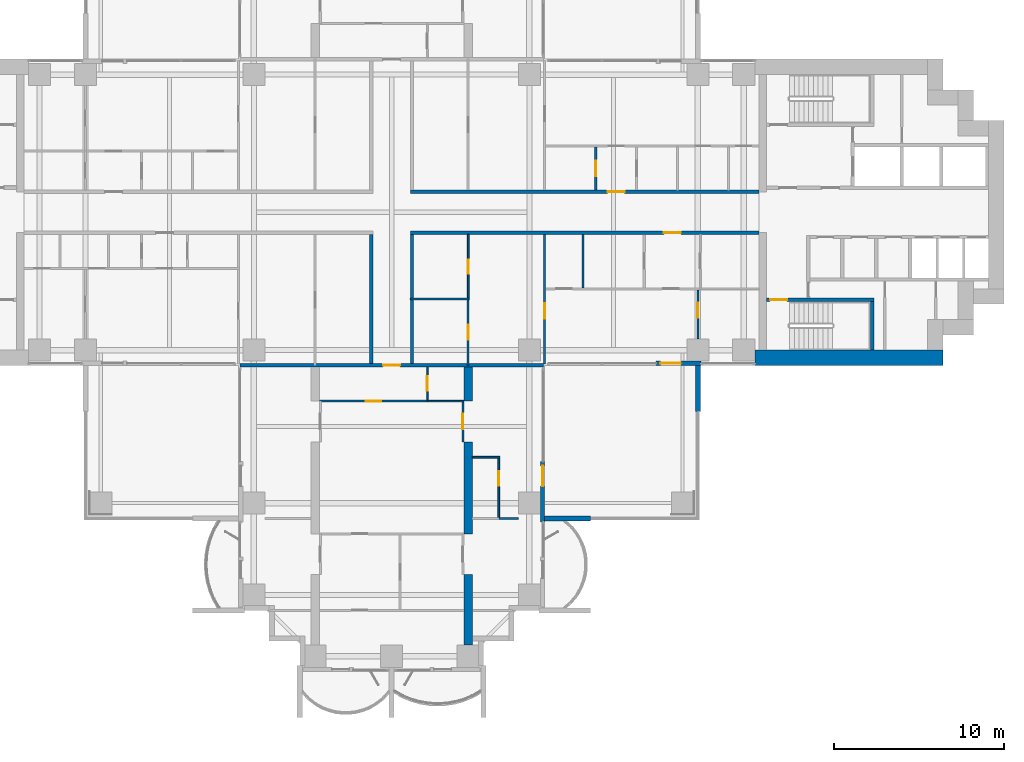
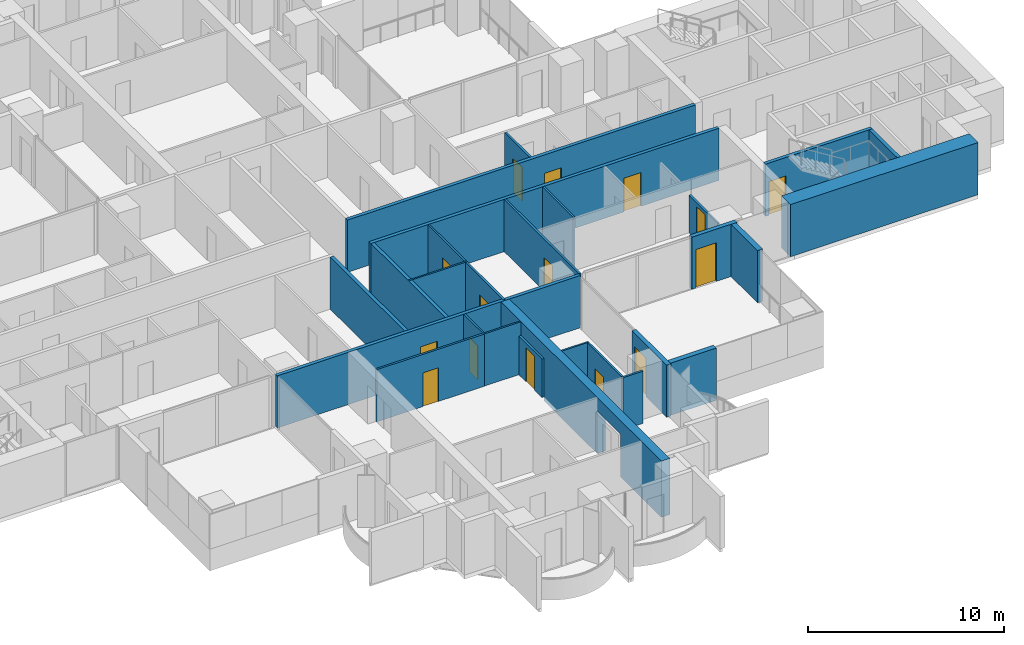
# One storey, part 12 of 20: 27 walls, 15 doors, 15 openings.
"""IFC4 building model written with IfcOpenShell, lengths in metres."""

from ifc_helpers import new_model, si_unit, direction, frame, frame_2d, origin, place, context, subcontext, project, spatial, polyline, rectangle, outline, extrude, material, layer, layer_set, material_profile, profile_set, type_object, element, fill, save


model = new_model("IFC4")

# Units and contexts
model_context = context("Model", 3, precision=1e-05, world=origin(), true_north=direction((0.0, 1.0)))
body_context = subcontext(model_context, "Body", "Model", "MODEL_VIEW")
ifc_project = project(units=[si_unit("LENGTHUNIT", "METRE"), si_unit("AREAUNIT", "SQUARE_METRE"), si_unit("VOLUMEUNIT", "CUBIC_METRE"), si_unit("PLANEANGLEUNIT", "RADIAN"), si_unit("MASSUNIT", "GRAM", prefix="KILO")], contexts=[model_context])

# Site, building, storey
site_placement = place(None, origin())
site = spatial("IfcSite", under=ifc_project, at=site_placement, CompositionType="ELEMENT")
building_placement = place(site_placement, origin())
building = spatial("IfcBuilding", under=site, at=building_placement, Name="Perihelion Cross Residences", CompositionType="ELEMENT")
storey_placement = place(building_placement, frame((0.0, 0.0, 82.0)))
storey = spatial("IfcBuildingStorey", under=building, at=storey_placement, Name="L18", CompositionType="ELEMENT", Elevation=82.0)

# Wall, opening, door
ifc_material_1 = material(Name="Plasterboard partition")
ifc_layer_1 = layer(ifc_material_1, 0.199951171875)
ifc_layer_set_1 = layer_set([ifc_layer_1], Name="Apartment separation wall 200")
wall_type_1 = type_object("IfcWallType", Name="Apartment separation wall 200", PredefinedType="PARTITIONING", material=ifc_layer_set_1)
wall_1_placement = place(storey_placement, frame((1.10009765625, 1.199951171875, 0.0), z_axis=(0.0, 0.0, 1.0), x_axis=(1.0, 0.0, 0.0)))
wall_1 = element("IfcWall", 1, at=wall_1_placement, inside=storey, type_object=wall_type_1, Name="Partition L18 W001", PredefinedType="PARTITIONING", context=body_context, shape_type="SweptSolid", body=[
    extrude(rectangle(XDim=20.5, YDim=0.199951171875, at=frame_2d((10.25, 0.0))), origin(), (0.0, 0.0, 1.0), 3.25),
])
opening_1_placement = place(wall_1_placement, frame((11.60009765625, 0.0, 0.0)))
opening_1 = element("IfcOpeningElement", 2, at=opening_1_placement, cuts=wall_1, Name="Opening L18.A45", PredefinedType="OPENING", context=body_context, shape_type="SweptSolid", body=[
    extrude(rectangle(XDim=1.0, YDim=2.10009765625, at=frame_2d((0.5, 1.050048828125))), frame((0.0, 0.10986328125, 0.0), z_axis=(0.0, -1.0, 0.0), x_axis=(1.0, 0.0, 0.0)), (0.0, 0.0, 1.0), 0.219970703125),
])
ifc_material_2 = material(Name="Timber door leaf", Category="wood")
door_type_1 = type_object("IfcDoorType", Name="Flat entrance door 1000 x 2100", OperationType="SINGLE_SWING_LEFT", PredefinedType="DOOR", material=ifc_material_2)
door_1_placement = place(opening_1_placement, origin())
door_1 = element("IfcDoor", 3, at=door_1_placement, inside=storey, type_object=door_type_1, Name="Door L18.A45", OperationType="SINGLE_SWING_LEFT", OverallHeight=2.10009765625, OverallWidth=1.0, PredefinedType="DOOR", context=body_context, shape_type="SweptSolid", body=[
    extrude(rectangle(XDim=1.0, YDim=2.10009765625, at=frame_2d((0.5, 1.050048828125))), frame((0.0, 0.02490234375, 0.0), z_axis=(0.0, -1.0, 0.0), x_axis=(1.0, 0.0, 0.0)), (0.0, 0.0, 1.0), 0.050048828125),
])
fill(opening_1, door_1)

wall_2_placement = place(storey_placement, frame((21.60009765625, -1.199951171875, 0.0), z_axis=(0.0, 0.0, 1.0), x_axis=(-1.0, 0.0, 0.0)))
wall_2 = element("IfcWall", 4, at=wall_2_placement, inside=storey, type_object=wall_type_1, Name="Partition L18 W003", PredefinedType="PARTITIONING", context=body_context, shape_type="SweptSolid", body=[
    extrude(rectangle(XDim=20.5, YDim=0.199951171875, at=frame_2d((10.25, 0.0))), origin(), (0.0, 0.0, 1.0), 3.25),
])
opening_2_placement = place(wall_2_placement, frame((4.60009765625, 0.0, 0.0)))
opening_2 = element("IfcOpeningElement", 5, at=opening_2_placement, cuts=wall_2, Name="Opening L18.A46", PredefinedType="OPENING", context=body_context, shape_type="SweptSolid", body=[
    extrude(rectangle(XDim=1.0, YDim=2.10009765625, at=frame_2d((0.5, 1.050048828125))), frame((0.0, 0.10986328125, 0.0), z_axis=(0.0, -1.0, 0.0), x_axis=(1.0, 0.0, 0.0)), (0.0, 0.0, 1.0), 0.219970703125),
])
door_2_placement = place(opening_2_placement, origin())
door_2 = element("IfcDoor", 6, at=door_2_placement, inside=storey, type_object=door_type_1, Name="Door L18.A46", OperationType="SINGLE_SWING_RIGHT", OverallHeight=2.10009765625, OverallWidth=1.0, PredefinedType="DOOR", context=body_context, shape_type="SweptSolid", body=[
    extrude(rectangle(XDim=1.0, YDim=2.10009765625, at=frame_2d((0.5, 1.050048828125))), frame((0.0, 0.02490234375, 0.0), z_axis=(0.0, -1.0, 0.0), x_axis=(1.0, 0.0, 0.0)), (0.0, 0.0, 1.0), 0.050048828125),
])
fill(opening_2, door_2)

# Walls
for number, where, z_axis, x_axis, name in (
    (7, (1.199951171875, -1.300048828125, 0.0), (0.0, 0.0, 1.0), (0.0, -1.0, 0.0), "Partition L18 W004"),
    (8, (-1.199951171875, -8.89990234375, 0.0), (0.0, 0.0, 1.0), (0.0, 1.0, 0.0), "Partition L18 W008"),
):
    element("IfcWall", number, at=place(storey_placement, frame(where, z_axis=z_axis, x_axis=x_axis)), inside=storey, type_object=wall_type_1, Name=name, PredefinedType="PARTITIONING", context=body_context, shape_type="SweptSolid", body=[
        extrude(rectangle(XDim=7.599853515625, YDim=0.199951171875, at=frame_2d((3.7998046875, 0.0))), origin(), (0.0, 0.0, 1.0), 3.25),
    ])

# Wall, opening, door
wall_3_placement = place(storey_placement, frame((8.919921875, -9.0, 0.0), z_axis=(0.0, 0.0, 1.0), x_axis=(-1.0, 0.0, 0.0)))
wall_3 = element("IfcWall", 9, at=wall_3_placement, inside=storey, type_object=wall_type_1, Name="Partition L18 W010", PredefinedType="PARTITIONING", context=body_context, shape_type="SweptSolid", body=[
    extrude(rectangle(XDim=17.83984375, YDim=0.199951171875, at=frame_2d((8.919921875, 0.0))), origin(), (0.0, 0.0, 1.0), 3.25),
])
opening_3_placement = place(wall_3_placement, frame((8.419921875, 0.0, 0.0)))
opening_3 = element("IfcOpeningElement", 10, at=opening_3_placement, cuts=wall_3, Name="Opening L18.A38", PredefinedType="OPENING", context=body_context, shape_type="SweptSolid", body=[
    extrude(rectangle(XDim=1.0, YDim=2.10009765625, at=frame_2d((0.5, 1.050048828125))), frame((0.0, 0.10986328125, 0.0), z_axis=(0.0, -1.0, 0.0), x_axis=(1.0, 0.0, 0.0)), (0.0, 0.0, 1.0), 0.219970703125),
])
door_3_placement = place(opening_3_placement, origin())
door_3 = element("IfcDoor", 11, at=door_3_placement, inside=storey, type_object=door_type_1, Name="Door L18.A38", OperationType="SINGLE_SWING_RIGHT", OverallHeight=2.10009765625, OverallWidth=1.0, PredefinedType="DOOR", context=body_context, shape_type="SweptSolid", body=[
    extrude(rectangle(XDim=1.0, YDim=2.10009765625, at=frame_2d((0.5, 1.050048828125))), frame((0.0, 0.02490234375, 0.0), z_axis=(0.0, -1.0, 0.0), x_axis=(1.0, 0.0, 0.0)), (0.0, 0.0, 1.0), 0.050048828125),
])
fill(opening_3, door_3)

ifc_material_3 = material(Name="Concrete C30/37, bronze-clad", Category="concrete")
ifc_layer_2 = layer(ifc_material_3, 0.25)
ifc_layer_set_2 = layer_set([ifc_layer_2], Name="Bronze-clad pier wall 250")
wall_type_2 = type_object("IfcWallType", Name="Bronze-clad pier wall 250", PredefinedType="SOLIDWALL", material=ifc_layer_set_2)
wall_4_placement = place(storey_placement, frame((8.875, -18.199951171875, 0.0), z_axis=(0.0, 0.0, 1.0), x_axis=(0.0, 1.0, 0.0)))
wall_4 = element("IfcWall", 12, at=wall_4_placement, inside=storey, type_object=wall_type_2, Name="Wall FW1 L18 south side east bay 2 pier", PredefinedType="SOLIDWALL", context=body_context, shape_type="SweptSolid", body=[
    extrude(rectangle(XDim=3.550048828125, YDim=0.25, at=frame_2d((1.77490234375, 0.0))), origin(), (0.0, 0.0, 1.0), 3.25),
])
opening_4_placement = place(wall_4_placement, frame((2.10009765625, 0.0, 0.0)))
opening_4 = element("IfcOpeningElement", 13, at=opening_4_placement, cuts=wall_4, Name="Opening L18.E15", PredefinedType="OPENING", context=body_context, shape_type="SweptSolid", body=[
    extrude(rectangle(XDim=1.199951171875, YDim=2.39990234375, at=frame_2d((0.60009765625, 1.199951171875))), frame((0.0, 0.135009765625, 0.0), z_axis=(0.0, -1.0, 0.0), x_axis=(1.0, 0.0, 0.0)), (0.0, 0.0, 1.0), 0.27001953125),
])
ifc_material_4 = material(Name="Bronze anodised aluminium, glazed", Category="aluminium")
door_type_2 = type_object("IfcDoorType", Name="Balcony door 1200 x 2400", OperationType="NOTDEFINED", PredefinedType="DOOR", material=ifc_material_4)
door_4_placement = place(opening_4_placement, origin())
door_4 = element("IfcDoor", 14, at=door_4_placement, inside=storey, type_object=door_type_2, Name="Door L18.E15 south side east bay 2", OperationType="SINGLE_SWING_RIGHT", OverallHeight=2.39990234375, OverallWidth=1.199951171875, PredefinedType="DOOR", context=body_context, shape_type="SweptSolid", body=[
    extrude(rectangle(XDim=1.199951171875, YDim=2.39990234375, at=frame_2d((0.60009765625, 1.199951171875))), frame((0.0, 0.02490234375, 0.0), z_axis=(0.0, -1.0, 0.0), x_axis=(1.0, 0.0, 0.0)), (0.0, 0.0, 1.0), 0.050048828125),
])
fill(opening_4, door_4)

wall_5_placement = place(storey_placement, frame((15.550048828125, -8.875, 0.0), z_axis=(0.0, 0.0, 1.0), x_axis=(1.0, 0.0, 0.0)))
wall_5 = element("IfcWall", 15, at=wall_5_placement, inside=storey, type_object=wall_type_2, Name="Wall FW1 L18 east side south bay 1 pier", PredefinedType="SOLIDWALL", context=body_context, shape_type="SweptSolid", body=[
    extrude(rectangle(XDim=2.64990234375, YDim=0.25, at=frame_2d((1.324951171875, 0.0))), origin(), (0.0, 0.0, 1.0), 3.25),
])
opening_5_placement = place(wall_5_placement, frame((0.25, 0.0, 0.0)))
opening_5 = element("IfcOpeningElement", 16, at=opening_5_placement, cuts=wall_5, Name="Opening L18.E16", PredefinedType="OPENING", context=body_context, shape_type="SweptSolid", body=[
    extrude(rectangle(XDim=1.199951171875, YDim=2.39990234375, at=frame_2d((0.60009765625, 1.199951171875))), frame((0.0, 0.135009765625, 0.0), z_axis=(0.0, -1.0, 0.0), x_axis=(1.0, 0.0, 0.0)), (0.0, 0.0, 1.0), 0.27001953125),
])
door_5_placement = place(opening_5_placement, origin())
door_5 = element("IfcDoor", 17, at=door_5_placement, inside=storey, type_object=door_type_2, Name="Door L18.E16 east side south bay 1", OperationType="SINGLE_SWING_LEFT", OverallHeight=2.39990234375, OverallWidth=1.199951171875, PredefinedType="DOOR", context=body_context, shape_type="SweptSolid", body=[
    extrude(rectangle(XDim=1.199951171875, YDim=2.39990234375, at=frame_2d((0.60009765625, 1.199951171875))), frame((0.0, 0.02490234375, 0.0), z_axis=(0.0, -1.0, 0.0), x_axis=(1.0, 0.0, 0.0)), (0.0, 0.0, 1.0), 0.050048828125),
])
fill(opening_5, door_5)

# Wall
ifc_material_5 = material(Name="Concrete C60/75", Category="concrete")
ifc_layer_3 = layer(ifc_material_5, 0.89990234375)
ifc_layer_set_3 = layer_set([ifc_layer_3], Name="Core wall, outer 900")
wall_type_3 = type_object("IfcWallType", Name="Core wall, outer 900", PredefinedType="SHEAR", material=ifc_layer_set_3)
wall_6_placement = place(storey_placement, frame((21.35009765625, -8.550048828125, 0.0), z_axis=(0.0, 0.0, 1.0), x_axis=(1.0, 0.0, 0.0)))
element("IfcWall", 18, at=wall_6_placement, inside=storey, type_object=wall_type_3, Name="East core core wall, outer", PredefinedType="SHEAR", context=body_context, shape_type="SweptSolid", body=[
    extrude(rectangle(XDim=11.0498046875, YDim=0.89990234375, at=frame_2d((5.52490234375, 0.0))), origin(), (0.0, 0.0, 1.0), 3.25),
])

# Wall, opening, door
ifc_material_6 = material(Name="Plasterboard partition")
ifc_layer_4 = layer(ifc_material_6, 0.1201171875)
ifc_layer_set_4 = layer_set([ifc_layer_4], Name="Infill panel 120")
wall_type_4 = type_object("IfcWallType", Name="Infill panel 120", PredefinedType="PARTITIONING", material=ifc_layer_set_4)
wall_7_placement = place(storey_placement, frame((4.18994140625, -11.10009765625, 0.0), z_axis=(0.0, 0.0, 1.0), x_axis=(0.0, -1.0, 0.0)))
wall_7 = element("IfcWall", 19, at=wall_7_placement, inside=storey, type_object=wall_type_4, Name="Partition L18 WI05", PredefinedType="PARTITIONING", context=body_context, shape_type="SweptSolid", body=[
    extrude(rectangle(XDim=2.39990234375, YDim=0.1201171875, at=frame_2d((1.199951171875, 0.0))), origin(), (0.0, 0.0, 1.0), 2.39990234375),
])
opening_6_placement = place(wall_7_placement, frame((0.75, 0.0, 0.0)))
opening_6 = element("IfcOpeningElement", 20, at=opening_6_placement, cuts=wall_7, Name="Opening L18.A53", PredefinedType="OPENING", context=body_context, shape_type="SweptSolid", body=[
    extrude(rectangle(XDim=0.89990234375, YDim=2.10009765625, at=frame_2d((0.449951171875, 1.050048828125))), frame((0.0, 0.070068359375, 0.0), z_axis=(0.0, -1.0, 0.0), x_axis=(1.0, 0.0, 0.0)), (0.0, 0.0, 1.0), 0.14013671875),
])
ifc_material_7 = material(Name="Timber door leaf", Category="wood")
door_type_3 = type_object("IfcDoorType", Name="Interior room door 900 x 2100", OperationType="SINGLE_SWING_LEFT", PredefinedType="DOOR", material=ifc_material_7)
door_6_placement = place(opening_6_placement, origin())
door_6 = element("IfcDoor", 21, at=door_6_placement, inside=storey, type_object=door_type_3, Name="Door L18.A53", OperationType="SINGLE_SWING_RIGHT", OverallHeight=2.10009765625, OverallWidth=0.89990234375, PredefinedType="DOOR", context=body_context, shape_type="SweptSolid", body=[
    extrude(rectangle(XDim=0.89990234375, YDim=2.10009765625, at=frame_2d((0.449951171875, 1.050048828125))), frame((0.0, 0.02490234375, 0.0), z_axis=(0.0, -1.0, 0.0), x_axis=(1.0, 0.0, 0.0)), (0.0, 0.0, 1.0), 0.050048828125),
])
fill(opening_6, door_6)

ifc_material_8 = material(Name="Plasterboard partition")
ifc_layer_5 = layer(ifc_material_8, 0.1201171875)
ifc_layer_set_5 = layer_set([ifc_layer_5], Name="Partition wall 120")
wall_type_5 = type_object("IfcWallType", Name="Partition wall 120", PredefinedType="PARTITIONING", material=ifc_layer_set_5)
wall_8_placement = place(storey_placement, frame((12.0, 3.840087890625, 0.0), z_axis=(0.0, 0.0, 1.0), x_axis=(0.0, -1.0, 0.0)))
wall_8 = element("IfcWall", 22, at=wall_8_placement, inside=storey, type_object=wall_type_5, Name="Partition L18 W011", PredefinedType="PARTITIONING", context=body_context, shape_type="SweptSolid", body=[
    extrude(rectangle(XDim=2.5400390625, YDim=0.1201171875, at=frame_2d((1.27001953125, 0.0))), origin(), (0.0, 0.0, 1.0), 3.25),
])
opening_7_placement = place(wall_8_placement, frame((0.820068359375, 0.0, 0.0)))
opening_7 = element("IfcOpeningElement", 23, at=opening_7_placement, cuts=wall_8, Name="Opening L18.A03", PredefinedType="OPENING", context=body_context, shape_type="SweptSolid", body=[
    extrude(rectangle(XDim=0.89990234375, YDim=2.10009765625, at=frame_2d((0.449951171875, 1.050048828125))), frame((0.0, 0.070068359375, 0.0), z_axis=(0.0, -1.0, 0.0), x_axis=(1.0, 0.0, 0.0)), (0.0, 0.0, 1.0), 0.14013671875),
])
door_7_placement = place(opening_7_placement, origin())
door_7 = element("IfcDoor", 24, at=door_7_placement, inside=storey, type_object=door_type_3, Name="Door L18.A03", OperationType="SINGLE_SWING_RIGHT", OverallHeight=2.10009765625, OverallWidth=0.89990234375, PredefinedType="DOOR", context=body_context, shape_type="SweptSolid", body=[
    extrude(rectangle(XDim=0.89990234375, YDim=2.10009765625, at=frame_2d((0.449951171875, 1.050048828125))), frame((0.0, 0.02490234375, 0.0), z_axis=(0.0, -1.0, 0.0), x_axis=(1.0, 0.0, 0.0)), (0.0, 0.0, 1.0), 0.050048828125),
])
fill(opening_7, door_7)

# Wall
wall_9_placement = place(storey_placement, frame((11.25, -1.300048828125, 0.0), z_axis=(0.0, 0.0, 1.0), x_axis=(0.0, -1.0, 0.0)))
element("IfcWall", 25, at=wall_9_placement, inside=storey, type_object=wall_type_5, Name="Partition L18 W020", PredefinedType="PARTITIONING", context=body_context, shape_type="SweptSolid", body=[
    extrude(rectangle(XDim=3.139892578125, YDim=0.1201171875, at=frame_2d((1.56982421875, 0.0))), origin(), (0.0, 0.0, 1.0), 3.25),
])

# Wall, opening, door
wall_10_placement = place(storey_placement, frame((9.0, -8.919921875, 0.0), z_axis=(0.0, 0.0, 1.0), x_axis=(0.0, 1.0, 0.0)))
wall_10 = element("IfcWall", 26, at=wall_10_placement, inside=storey, type_object=wall_type_5, Name="Partition L18 W022", PredefinedType="PARTITIONING", context=body_context, shape_type="SweptSolid", body=[
    extrude(rectangle(XDim=7.619873046875, YDim=0.1201171875, at=frame_2d((3.81005859375, 0.0))), origin(), (0.0, 0.0, 1.0), 3.25),
])
opening_8_placement = place(wall_10_placement, frame((2.669921875, 0.0, 0.0)))
opening_8 = element("IfcOpeningElement", 27, at=opening_8_placement, cuts=wall_10, Name="Opening L18.A11", PredefinedType="OPENING", context=body_context, shape_type="SweptSolid", body=[
    extrude(rectangle(XDim=0.89990234375, YDim=2.10009765625, at=frame_2d((0.449951171875, 1.050048828125))), frame((0.0, 0.070068359375, 0.0), z_axis=(0.0, -1.0, 0.0), x_axis=(1.0, 0.0, 0.0)), (0.0, 0.0, 1.0), 0.14013671875),
])
door_8_placement = place(opening_8_placement, origin())
door_8 = element("IfcDoor", 28, at=door_8_placement, inside=storey, type_object=door_type_3, Name="Door L18.A11", OperationType="SINGLE_SWING_LEFT", OverallHeight=2.10009765625, OverallWidth=0.89990234375, PredefinedType="DOOR", context=body_context, shape_type="SweptSolid", body=[
    extrude(rectangle(XDim=0.89990234375, YDim=2.10009765625, at=frame_2d((0.449951171875, 1.050048828125))), frame((0.0, 0.02490234375, 0.0), z_axis=(0.0, -1.0, 0.0), x_axis=(1.0, 0.0, 0.0)), (0.0, 0.0, 1.0), 0.050048828125),
])
fill(opening_8, door_8)

wall_11_placement = place(storey_placement, frame((18.0, -4.56005859375, 0.0), z_axis=(0.0, 0.0, 1.0), x_axis=(0.0, -1.0, 0.0)))
wall_11 = element("IfcWall", 29, at=wall_11_placement, inside=storey, type_object=wall_type_5, Name="Partition L18 W026", PredefinedType="PARTITIONING", context=body_context, shape_type="SweptSolid", body=[
    extrude(rectangle(XDim=2.889892578125, YDim=0.1201171875, at=frame_2d((1.44482421875, 0.0))), origin(), (0.0, 0.0, 1.0), 2.345947265625),
])
opening_9_placement = place(wall_11_placement, frame((0.7451171875, 0.0, 0.0)))
opening_9 = element("IfcOpeningElement", 30, at=opening_9_placement, cuts=wall_11, Name="Opening L18.A09", PredefinedType="OPENING", context=body_context, shape_type="SweptSolid", body=[
    extrude(rectangle(XDim=0.89990234375, YDim=2.10009765625, at=frame_2d((0.449951171875, 1.050048828125))), frame((0.0, 0.070068359375, 0.0), z_axis=(0.0, -1.0, 0.0), x_axis=(1.0, 0.0, 0.0)), (0.0, 0.0, 1.0), 0.14013671875),
])
door_9_placement = place(opening_9_placement, origin())
door_9 = element("IfcDoor", 31, at=door_9_placement, inside=storey, type_object=door_type_3, Name="Door L18.A09", OperationType="SINGLE_SWING_LEFT", OverallHeight=2.10009765625, OverallWidth=0.89990234375, PredefinedType="DOOR", context=body_context, shape_type="SweptSolid", body=[
    extrude(rectangle(XDim=0.89990234375, YDim=2.10009765625, at=frame_2d((0.449951171875, 1.050048828125))), frame((0.0, 0.02490234375, 0.0), z_axis=(0.0, -1.0, 0.0), x_axis=(1.0, 0.0, 0.0)), (0.0, 0.0, 1.0), 0.050048828125),
])
fill(opening_9, door_9)

wall_12_placement = place(storey_placement, frame((4.5, -9.0, 0.0), z_axis=(0.0, 0.0, 1.0), x_axis=(0.0, 1.0, 0.0)))
wall_12 = element("IfcWall", 32, at=wall_12_placement, inside=storey, type_object=wall_type_5, Name="Partition L18 W028", PredefinedType="PARTITIONING", context=body_context, shape_type="SweptSolid", body=[
    extrude(rectangle(XDim=3.89990234375, YDim=0.1201171875, at=frame_2d((1.949951171875, 0.0))), origin(), (0.0, 0.0, 1.0), 3.25),
])
opening_10_placement = place(wall_12_placement, frame((1.5, 0.0, 0.0)))
opening_10 = element("IfcOpeningElement", 33, at=opening_10_placement, cuts=wall_12, Name="Opening L18.A14", PredefinedType="OPENING", context=body_context, shape_type="SweptSolid", body=[
    extrude(rectangle(XDim=0.89990234375, YDim=2.10009765625, at=frame_2d((0.449951171875, 1.050048828125))), frame((0.0, 0.070068359375, 0.0), z_axis=(0.0, -1.0, 0.0), x_axis=(1.0, 0.0, 0.0)), (0.0, 0.0, 1.0), 0.14013671875),
])
door_10_placement = place(opening_10_placement, origin())
door_10 = element("IfcDoor", 34, at=door_10_placement, inside=storey, type_object=door_type_3, Name="Door L18.A14", OperationType="SINGLE_SWING_LEFT", OverallHeight=2.10009765625, OverallWidth=0.89990234375, PredefinedType="DOOR", context=body_context, shape_type="SweptSolid", body=[
    extrude(rectangle(XDim=0.89990234375, YDim=2.10009765625, at=frame_2d((0.449951171875, 1.050048828125))), frame((0.0, 0.02490234375, 0.0), z_axis=(0.0, -1.0, 0.0), x_axis=(1.0, 0.0, 0.0)), (0.0, 0.0, 1.0), 0.050048828125),
])
fill(opening_10, door_10)

wall_13_placement = place(storey_placement, frame((2.10009765625, -11.10009765625, 0.0), z_axis=(0.0, 0.0, 1.0), x_axis=(-1.0, 0.0, 0.0)))
wall_13 = element("IfcWall", 35, at=wall_13_placement, inside=storey, type_object=wall_type_5, Name="Partition L18 W062", PredefinedType="PARTITIONING", context=body_context, shape_type="SweptSolid", body=[
    extrude(rectangle(XDim=6.35009765625, YDim=0.1201171875, at=frame_2d((3.175048828125, 0.0))), origin(), (0.0, 0.0, 1.0), 3.25),
])
opening_11_placement = place(wall_13_placement, frame((2.72509765625, 0.0, 0.0)))
opening_11 = element("IfcOpeningElement", 36, at=opening_11_placement, cuts=wall_13, Name="Opening L18.A40", PredefinedType="OPENING", context=body_context, shape_type="SweptSolid", body=[
    extrude(rectangle(XDim=0.89990234375, YDim=2.10009765625, at=frame_2d((0.449951171875, 1.050048828125))), frame((0.0, 0.070068359375, 0.0), z_axis=(0.0, -1.0, 0.0), x_axis=(1.0, 0.0, 0.0)), (0.0, 0.0, 1.0), 0.14013671875),
])
door_11_placement = place(opening_11_placement, origin())
door_11 = element("IfcDoor", 37, at=door_11_placement, inside=storey, type_object=door_type_3, Name="Door L18.A40", OperationType="SINGLE_SWING_RIGHT", OverallHeight=2.10009765625, OverallWidth=0.89990234375, PredefinedType="DOOR", context=body_context, shape_type="SweptSolid", body=[
    extrude(rectangle(XDim=0.89990234375, YDim=2.10009765625, at=frame_2d((0.449951171875, 1.050048828125))), frame((0.0, 0.02490234375, 0.0), z_axis=(0.0, -1.0, 0.0), x_axis=(1.0, 0.0, 0.0)), (0.0, 0.0, 1.0), 0.050048828125),
])
fill(opening_11, door_11)

# Walls
wall_14_placement = place(storey_placement, frame((7.449951171875, -18.0, 0.0), z_axis=(0.0, 0.0, 1.0), x_axis=(-1.0, 0.0, 0.0)))
element("IfcWall", 38, at=wall_14_placement, inside=storey, type_object=wall_type_5, Name="Partition L18 W069", PredefinedType="PARTITIONING", context=body_context, shape_type="SweptSolid", body=[
    extrude(rectangle(XDim=1.14990234375, YDim=0.1201171875, at=frame_2d((0.574951171875, 0.0))), origin(), (0.0, 0.0, 1.0), 3.25),
])
ifc_material_9 = material(Name="Precast concrete C50/60", Category="concrete")
ifc_layer_6 = layer(ifc_material_9, 0.300048828125)
ifc_layer_set_6 = layer_set([ifc_layer_6], Name="Precast concrete C50/60 blade wall 300")
wall_type_6 = type_object("IfcWallType", Name="Precast concrete C50/60 blade wall 300", PredefinedType="SOLIDWALL", material=ifc_layer_set_6)
wall_15_placement = place(storey_placement, frame((9.0, -18.0, 0.0), z_axis=(0.0, 0.0, 1.0), x_axis=(1.0, 0.0, 0.0)))
element("IfcWall", 39, at=wall_15_placement, inside=storey, type_object=wall_type_6, Name="Wall BL1 L18 no. 15", PredefinedType="SOLIDWALL", context=body_context, shape_type="SweptSolid", body=[
    extrude(rectangle(XDim=2.699951171875, YDim=0.300048828125, at=frame_2d((1.35009765625, 0.0))), origin(), (0.0, 0.0, 1.0), 3.25),
])
wall_16_placement = place(storey_placement, frame((18.0, -8.75, 0.0), z_axis=(0.0, 0.0, 1.0), x_axis=(0.0, -1.0, 0.0)))
element("IfcWall", 40, at=wall_16_placement, inside=storey, type_object=wall_type_6, Name="Wall BL1 L18 no. 11", PredefinedType="SOLIDWALL", context=body_context, shape_type="SweptSolid", body=[
    extrude(rectangle(XDim=2.949951171875, YDim=0.300048828125, at=frame_2d((1.47509765625, 0.0))), origin(), (0.0, 0.0, 1.0), 3.25),
])

# Wall, opening, door
ifc_material_10 = material(Name="Concrete C50/60", Category="concrete")
ifc_layer_7 = layer(ifc_material_10, 0.199951171875)
ifc_layer_set_7 = layer_set([ifc_layer_7], Name="Stair wall 200")
wall_type_7 = type_object("IfcWallType", Name="Stair wall 200", PredefinedType="SOLIDWALL", material=ifc_layer_set_7)
wall_17_placement = place(storey_placement, frame((22.050048828125, -5.14990234375, 0.0), z_axis=(0.0, 0.0, 1.0), x_axis=(1.0, 0.0, 0.0)))
wall_17 = element("IfcWall", 41, at=wall_17_placement, inside=storey, type_object=wall_type_7, Name="East core stair wall", PredefinedType="SOLIDWALL", context=body_context, shape_type="SweptSolid", body=[
    extrude(rectangle(XDim=6.300048828125, YDim=0.199951171875, at=frame_2d((3.14990234375, 0.0))), origin(), (0.0, 0.0, 1.0), 3.25),
])
opening_12_placement = place(wall_17_placement, frame((0.199951171875, 0.0, 0.0)))
opening_12 = element("IfcOpeningElement", 42, at=opening_12_placement, cuts=wall_17, Name="Opening L18.C05", PredefinedType="OPENING", context=body_context, shape_type="SweptSolid", body=[
    extrude(rectangle(XDim=1.0, YDim=2.10009765625, at=frame_2d((0.5, 1.050048828125))), frame((0.0, 0.10986328125, 0.0), z_axis=(0.0, -1.0, 0.0), x_axis=(1.0, 0.0, 0.0)), (0.0, 0.0, 1.0), 0.219970703125),
])
ifc_material_11 = material(Name="Steel, powder coated", Category="steel")
door_type_4 = type_object("IfcDoorType", Name="Stair door 1000", OperationType="SINGLE_SWING_LEFT", PredefinedType="DOOR", material=ifc_material_11)
door_12_placement = place(opening_12_placement, origin())
door_12 = element("IfcDoor", 43, at=door_12_placement, inside=storey, type_object=door_type_4, Name="East core stair door", OperationType="SINGLE_SWING_LEFT", OverallHeight=2.10009765625, OverallWidth=1.0, PredefinedType="DOOR", context=body_context, shape_type="SweptSolid", body=[
    extrude(rectangle(XDim=1.0, YDim=2.10009765625, at=frame_2d((0.5, 1.050048828125))), frame((0.0, 0.02490234375, 0.0), z_axis=(0.0, -1.0, 0.0), x_axis=(1.0, 0.0, 0.0)), (0.0, 0.0, 1.0), 0.050048828125),
])
fill(opening_12, door_12)

# Walls
wall_18_placement = place(storey_placement, frame((28.25, -8.10009765625, 0.0), z_axis=(0.0, 0.0, 1.0), x_axis=(0.0, 1.0, 0.0)))
element("IfcWall", 44, at=wall_18_placement, inside=storey, type_object=wall_type_7, Name="East core stair wall", PredefinedType="SOLIDWALL", context=body_context, shape_type="SweptSolid", body=[
    extrude(rectangle(XDim=2.85009765625, YDim=0.199951171875, at=frame_2d((1.425048828125, 0.0))), origin(), (0.0, 0.0, 1.0), 3.25),
])
ifc_material_12 = material(Name="Concrete C60/75", Category="concrete")
ifc_material_profile = material_profile(ifc_material_12, outline(polyline([(0.0, 0.0), (4.14990234375, 0.0), (4.14990234375, 2.64990234375), (6.550048828125, 2.64990234375), (6.550048828125, 0.0), (11.949951171875, 0.0), (11.949951171875, 2.64990234375), (14.35009765625, 2.64990234375), (14.35009765625, 0.0), (16.449951171875, 0.0), (16.449951171875, 3.5), (0.0, 3.5), (0.0, 0.0)])), Name="Tip spine wall")
ifc_profile_set = profile_set([ifc_material_profile], Name="Concrete C60/75")
wall_type_8 = type_object("IfcWallType", Name="Tip spine wall 500 with 2 door openings 16450 long 3500 high concrete C60/75 hand A", PredefinedType="SHEAR", material=ifc_profile_set)
wall_19_placement = place(storey_placement, frame((4.25, -25.449951171875, -0.25), z_axis=(1.0, 0.0, 0.0), x_axis=(0.0, 1.0, 0.0)))
element("IfcWall", 45, at=wall_19_placement, inside=storey, type_object=wall_type_8, Name="Shear wall SW24 L18 south east", PredefinedType="SHEAR", context=body_context, shape_type="SweptSolid", body=[
    extrude(outline(polyline([(0.0, 0.0), (4.14990234375, 0.0), (4.14990234375, 2.64990234375), (6.550048828125, 2.64990234375), (6.550048828125, 0.0), (11.949951171875, 0.0), (11.949951171875, 2.64990234375), (14.35009765625, 2.64990234375), (14.35009765625, 0.0), (16.449951171875, 0.0), (16.449951171875, 3.5), (0.0, 3.5), (0.0, 0.0)])), origin(), (0.0, 0.0, 1.0), 0.5),
])

# Wall, opening, door
ifc_material_13 = material(Name="Plasterboard partition")
ifc_layer_8 = layer(ifc_material_13, 0.10009765625)
ifc_layer_set_8 = layer_set([ifc_layer_8], Name="Wet room wall 100")
wall_type_9 = type_object("IfcWallType", Name="Wet room wall 100", PredefinedType="PARTITIONING", material=ifc_layer_set_8)
wall_20_placement = place(storey_placement, frame((4.5, -5.10009765625, 0.0), z_axis=(0.0, 0.0, 1.0), x_axis=(0.0, 1.0, 0.0)))
wall_20 = element("IfcWall", 46, at=wall_20_placement, inside=storey, type_object=wall_type_9, Name="Partition L18 W027", PredefinedType="PARTITIONING", context=body_context, shape_type="SweptSolid", body=[
    extrude(rectangle(XDim=3.800048828125, YDim=0.10009765625, at=frame_2d((1.89990234375, 0.0))), origin(), (0.0, 0.0, 1.0), 3.25),
])
opening_13_placement = place(wall_20_placement, frame((1.47509765625, 0.0, 0.0)))
opening_13 = element("IfcOpeningElement", 47, at=opening_13_placement, cuts=wall_20, Name="Opening L18.A10", PredefinedType="OPENING", context=body_context, shape_type="SweptSolid", body=[
    extrude(rectangle(XDim=0.85009765625, YDim=2.10009765625, at=frame_2d((0.425048828125, 1.050048828125))), frame((0.0, 0.06005859375, 0.0), z_axis=(0.0, -1.0, 0.0), x_axis=(1.0, 0.0, 0.0)), (0.0, 0.0, 1.0), 0.1201171875),
])
ifc_material_14 = material(Name="Timber door leaf", Category="wood")
door_type_5 = type_object("IfcDoorType", Name="Interior bathroom door 850 x 2100", OperationType="SINGLE_SWING_LEFT", PredefinedType="DOOR", material=ifc_material_14)
door_13_placement = place(opening_13_placement, origin())
door_13 = element("IfcDoor", 48, at=door_13_placement, inside=storey, type_object=door_type_5, Name="Door L18.A10", OperationType="SINGLE_SWING_LEFT", OverallHeight=2.10009765625, OverallWidth=0.85009765625, PredefinedType="DOOR", context=body_context, shape_type="SweptSolid", body=[
    extrude(rectangle(XDim=0.85009765625, YDim=2.10009765625, at=frame_2d((0.425048828125, 1.050048828125))), frame((0.0, 0.02490234375, 0.0), z_axis=(0.0, -1.0, 0.0), x_axis=(1.0, 0.0, 0.0)), (0.0, 0.0, 1.0), 0.050048828125),
])
fill(opening_13, door_13)

# Wall
wall_21_placement = place(storey_placement, frame((4.56005859375, -5.10009765625, 0.0), z_axis=(0.0, 0.0, 1.0), x_axis=(-1.0, 0.0, 0.0)))
element("IfcWall", 49, at=wall_21_placement, inside=storey, type_object=wall_type_9, Name="Partition L18 W029", PredefinedType="PARTITIONING", context=body_context, shape_type="SweptSolid", body=[
    extrude(rectangle(XDim=3.4599609375, YDim=0.10009765625, at=frame_2d((1.72998046875, 0.0))), origin(), (0.0, 0.0, 1.0), 3.25),
])

# Wall, opening, door
wall_22_placement = place(storey_placement, frame((2.10009765625, -9.10009765625, 0.0), z_axis=(0.0, 0.0, 1.0), x_axis=(0.0, -1.0, 0.0)))
wall_22 = element("IfcWall", 50, at=wall_22_placement, inside=storey, type_object=wall_type_9, Name="Partition L18 W061", PredefinedType="PARTITIONING", context=body_context, shape_type="SweptSolid", body=[
    extrude(rectangle(XDim=1.93994140625, YDim=0.10009765625, at=frame_2d((0.969970703125, 0.0))), origin(), (0.0, 0.0, 1.0), 3.25),
])
opening_14_placement = place(wall_22_placement, frame((0.544921875, 0.0, 0.0)))
opening_14 = element("IfcOpeningElement", 51, at=opening_14_placement, cuts=wall_22, Name="Opening L18.A39", PredefinedType="OPENING", context=body_context, shape_type="SweptSolid", body=[
    extrude(rectangle(XDim=0.85009765625, YDim=2.10009765625, at=frame_2d((0.425048828125, 1.050048828125))), frame((0.0, 0.06005859375, 0.0), z_axis=(0.0, -1.0, 0.0), x_axis=(1.0, 0.0, 0.0)), (0.0, 0.0, 1.0), 0.1201171875),
])
door_14_placement = place(opening_14_placement, origin())
door_14 = element("IfcDoor", 52, at=door_14_placement, inside=storey, type_object=door_type_5, Name="Door L18.A39", OperationType="SINGLE_SWING_LEFT", OverallHeight=2.10009765625, OverallWidth=0.85009765625, PredefinedType="DOOR", context=body_context, shape_type="SweptSolid", body=[
    extrude(rectangle(XDim=0.85009765625, YDim=2.10009765625, at=frame_2d((0.425048828125, 1.050048828125))), frame((0.0, 0.02490234375, 0.0), z_axis=(0.0, -1.0, 0.0), x_axis=(1.0, 0.0, 0.0)), (0.0, 0.0, 1.0), 0.050048828125),
])
fill(opening_14, door_14)

# Wall
wall_23_placement = place(storey_placement, frame((4.25, -11.10009765625, 0.0), z_axis=(0.0, 0.0, 1.0), x_axis=(-1.0, 0.0, 0.0)))
element("IfcWall", 53, at=wall_23_placement, inside=storey, type_object=wall_type_9, Name="Partition L18 W063", PredefinedType="PARTITIONING", context=body_context, shape_type="SweptSolid", body=[
    extrude(rectangle(XDim=2.14990234375, YDim=0.10009765625, at=frame_2d((1.074951171875, 0.0))), origin(), (0.0, 0.0, 1.0), 3.25),
])

# Wall, opening, door
wall_24_placement = place(storey_placement, frame((6.300048828125, -17.93994140625, 0.0), z_axis=(0.0, 0.0, 1.0), x_axis=(0.0, 1.0, 0.0)))
wall_24 = element("IfcWall", 54, at=wall_24_placement, inside=storey, type_object=wall_type_9, Name="Partition L18 W067", PredefinedType="PARTITIONING", context=body_context, shape_type="SweptSolid", body=[
    extrude(rectangle(XDim=3.489990234375, YDim=0.10009765625, at=frame_2d((1.7451171875, 0.0))), origin(), (0.0, 0.0, 1.0), 3.25),
])
opening_15_placement = place(wall_24_placement, frame((1.8701171875, 0.0, 0.0)))
opening_15 = element("IfcOpeningElement", 55, at=opening_15_placement, cuts=wall_24, Name="Opening L18.A44", PredefinedType="OPENING", context=body_context, shape_type="SweptSolid", body=[
    extrude(rectangle(XDim=0.85009765625, YDim=2.10009765625, at=frame_2d((0.425048828125, 1.050048828125))), frame((0.0, 0.06005859375, 0.0), z_axis=(0.0, -1.0, 0.0), x_axis=(1.0, 0.0, 0.0)), (0.0, 0.0, 1.0), 0.1201171875),
])
door_15_placement = place(opening_15_placement, origin())
door_15 = element("IfcDoor", 56, at=door_15_placement, inside=storey, type_object=door_type_5, Name="Door L18.A44", OperationType="SINGLE_SWING_LEFT", OverallHeight=2.10009765625, OverallWidth=0.85009765625, PredefinedType="DOOR", context=body_context, shape_type="SweptSolid", body=[
    extrude(rectangle(XDim=0.85009765625, YDim=2.10009765625, at=frame_2d((0.425048828125, 1.050048828125))), frame((0.0, 0.02490234375, 0.0), z_axis=(0.0, -1.0, 0.0), x_axis=(1.0, 0.0, 0.0)), (0.0, 0.0, 1.0), 0.050048828125),
])
fill(opening_15, door_15)

# Wall
wall_25_placement = place(storey_placement, frame((6.35009765625, -14.39990234375, 0.0), z_axis=(0.0, 0.0, 1.0), x_axis=(-1.0, 0.0, 0.0)))
element("IfcWall", 57, at=wall_25_placement, inside=storey, type_object=wall_type_9, Name="Partition L18 W068", PredefinedType="PARTITIONING", context=body_context, shape_type="SweptSolid", body=[
    extrude(rectangle(XDim=1.60009765625, YDim=0.10009765625, at=frame_2d((0.800048828125, 0.0))), origin(), (0.0, 0.0, 1.0), 3.25),
])

save(model, "model.ifc")
